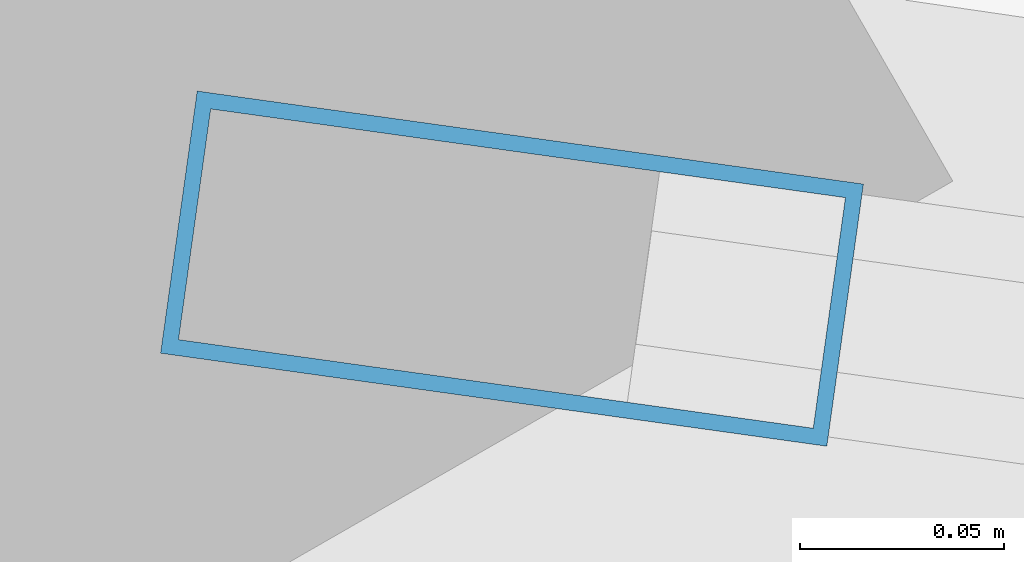
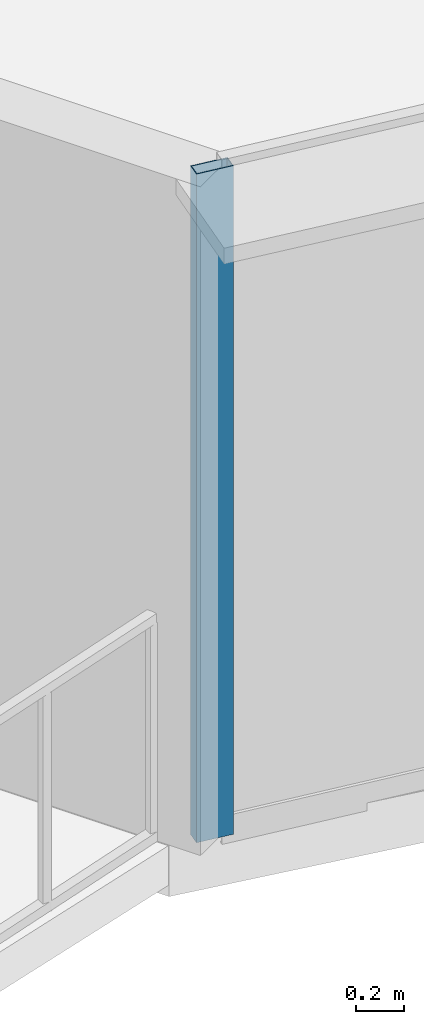
# One storey, part 2 of 38: 1 member, 1 element without a shape of its own.
"""IFC4 building model written with IfcOpenShell, lengths in metres."""

from ifc_helpers import new_model, si_unit, direction, frame, origin, origin_2d, place, context, subcontext, project, spatial, hollow_rectangle, extrude, source, transform, mapped, material, layer, layer_set, material_profile, profile_set, type_object, element, aggregate, save


model = new_model("IFC4")

# Units and contexts
model_context = context("Model", 3, precision=1e-05, world=origin(), true_north=direction((0.0, 1.0)))
body_context = subcontext(model_context, "Body", "Model", "MODEL_VIEW")
ifc_project = project(units=[si_unit("LENGTHUNIT", "METRE"), si_unit("AREAUNIT", "SQUARE_METRE"), si_unit("VOLUMEUNIT", "CUBIC_METRE"), si_unit("PLANEANGLEUNIT", "RADIAN"), si_unit("MASSUNIT", "GRAM", prefix="KILO"), si_unit("THERMODYNAMICTEMPERATUREUNIT", "KELVIN"), si_unit("POWERUNIT", "WATT")], contexts=[model_context])

# Site, building, storey
site_placement = place(None, origin())
site = spatial("IfcSite", under=ifc_project, at=site_placement, CompositionType="ELEMENT")
building_placement = place(site_placement, origin())
building = spatial("IfcBuilding", under=site, at=building_placement, Name="Yunzhuo Pagoda Commons", CompositionType="ELEMENT")
storey_placement = place(building_placement, frame((0.0, 0.0, 30.39990234375)))
storey = spatial("IfcBuildingStorey", under=building, at=storey_placement, Name="L07", CompositionType="ELEMENT", Elevation=30.39990234375)

# Curtain wall, member
ifc_material = material(Name="Anodized aluminium 6063-T6", Category="aluminium")
ifc_layer = layer(ifc_material, 0.1650390625)
ifc_layer_set = layer_set([ifc_layer], Name="Anodized aluminium 6063-T6")
curtain_wall_type = type_object("IfcCurtainWallType", Name="CW-LOW Low-Zone Ribbon Curtain Wall", PredefinedType="NOTDEFINED", material=ifc_layer_set)
curtain_wall_placement = place(storey_placement, origin())
curtain_wall = element("IfcCurtainWall", 1, at=curtain_wall_placement, inside=storey, type_object=curtain_wall_type, Name="L07 curtain wall CW-L07-F1B1", PredefinedType="NOTDEFINED")
ifc_material_profile = material_profile(ifc_material, hollow_rectangle(XDim=0.06494140625, YDim=0.1650390625, WallThickness=0.00390625, at=origin_2d()), Name="Anodized aluminium 6063-T6")
ifc_profile_set = profile_set([ifc_material_profile], Name="Anodized aluminium 6063-T6")
member_type = type_object("IfcMemberType", Name="CW-LOW-M Mullion RHS 165x65x4", PredefinedType="MULLION", material=ifc_profile_set)
shared_shape = source(origin(), body_context, "Body", "SweptSolid", [
    extrude(hollow_rectangle(XDim=0.06494140625, YDim=0.1650390625, WallThickness=0.00390625, at=origin_2d()), origin(), (0.0, 0.0, 1.0), 3.370361328125),
])
member_placement = place(storey_placement, frame((9.14697265625, 14.077880859375, 0.0), z_axis=(0.0, 0.0, 1.0), x_axis=(0.138293641491, 0.99039127052, 0.0)))
member = element("IfcMember", 2, at=member_placement, type_object=member_type, Name="CW mullion 1", PredefinedType="MULLION", context=body_context, shape_type="MappedRepresentation", body=[
    mapped(shared_shape, transform((0.0, 0.0, 0.0), scale=1.0)),
])
aggregate(curtain_wall, [member])

save(model, "model.ifc")
